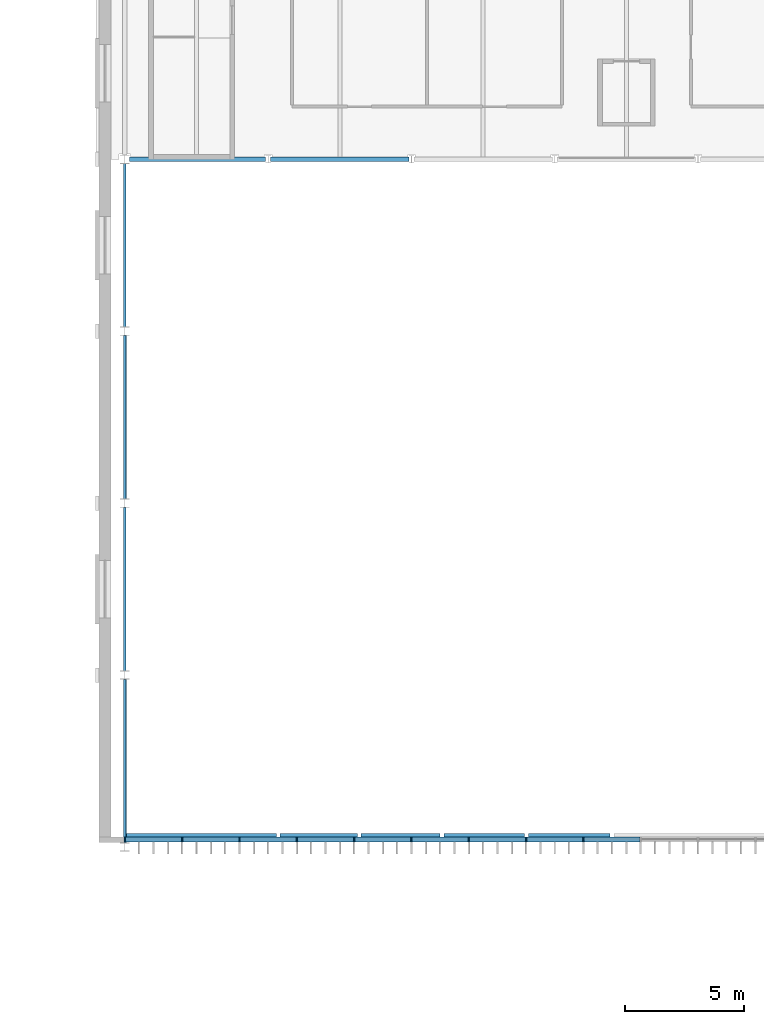
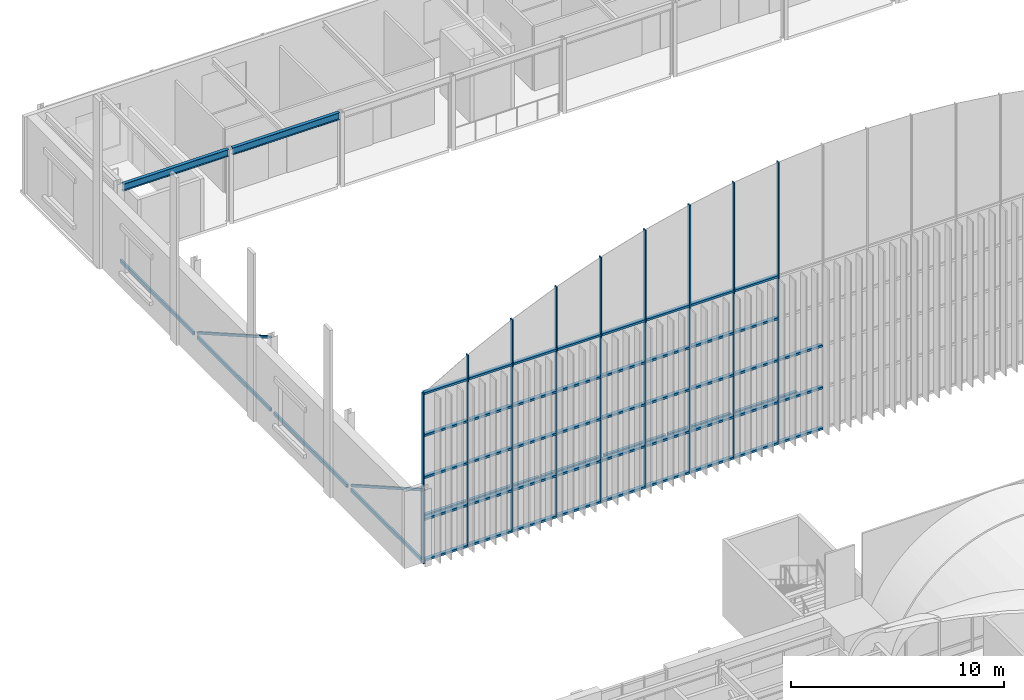
# One storey, part 43 of 169: 54 members, 11 beams, 1 element without a shape of its own.
"""IFC4 building model written with IfcOpenShell, lengths in metres."""

from ifc_helpers import new_model, si_unit, direction, frame, origin, origin_2d, place, context, subcontext, project, spatial, rectangle, hollow_rectangle, i_section, extrude, material, layer, layer_set, material_profile, profile_set, type_object, element, aggregate, save


model = new_model("IFC4")

# Units and contexts
model_context = context("Model", 3, precision=1e-05, world=origin(), true_north=direction((0.0, 1.0)))
body_context = subcontext(model_context, "Body", "Model", "MODEL_VIEW")
ifc_project = project(units=[si_unit("LENGTHUNIT", "METRE"), si_unit("AREAUNIT", "SQUARE_METRE"), si_unit("VOLUMEUNIT", "CUBIC_METRE"), si_unit("PLANEANGLEUNIT", "RADIAN"), si_unit("MASSUNIT", "GRAM", prefix="KILO")], contexts=[model_context])

# Site, building, storey
site_placement = place(None, origin())
site = spatial("IfcSite", under=ifc_project, at=site_placement, CompositionType="ELEMENT")
building_placement = place(site_placement, origin())
building = spatial("IfcBuilding", under=site, at=building_placement, Name="Verrick Yard Athletic Hall", CompositionType="ELEMENT")
storey_placement = place(building_placement, frame((0.0, 0.0, 4.39990234375)))
storey = spatial("IfcBuildingStorey", under=building, at=storey_placement, Name="L01", CompositionType="ELEMENT", Elevation=4.39990234375)

# Curtain wall, members
ifc_material_1 = material(Name="Anodised aluminium", Category="aluminium")
ifc_layer = layer(ifc_material_1, 0.199951171875)
ifc_layer_set = layer_set([ifc_layer], Name="Gable glazing")
curtain_wall_type = type_object("IfcCurtainWallType", Name="Gable glazing", PredefinedType="NOTDEFINED", material=ifc_layer_set)
curtain_wall_placement = place(storey_placement, origin())
curtain_wall = element("IfcCurtainWall", 1, at=curtain_wall_placement, inside=storey, type_object=curtain_wall_type, Name="Gable curtain wall BS", PredefinedType="NOTDEFINED")
ifc_material_profile_1 = material_profile(ifc_material_1, rectangle(XDim=0.199951171875, YDim=0.06005859375, at=origin_2d()), Name="CW gable mullion 60x200")
ifc_profile_set_1 = profile_set([ifc_material_profile_1], Name="Anodised aluminium")
member_type_1 = type_object("IfcMemberType", Name="Gable glazing mullion 60x200", PredefinedType="MULLION", material=ifc_profile_set_1)
member_1_placement = place(storey_placement, frame((28.0, 72.318359375, 0.0), z_axis=(0.0, 0.0, 1.0), x_axis=(0.0, 1.0, 0.0)))
member_1 = element("IfcMember", 2, at=member_1_placement, type_object=member_type_1, Name="ENVB-HBS-CW/M00", PredefinedType="MULLION", context=body_context, shape_type="SweptSolid", body=[
    extrude(rectangle(XDim=0.199951171875, YDim=0.06005859375, at=origin_2d()), origin(), (0.0, 0.0, 1.0), 9.60009765625),
])
member_2_placement = place(storey_placement, frame((30.39990234375, 72.318359375, 0.0), z_axis=(0.0, 0.0, 1.0), x_axis=(0.0, 1.0, 0.0)))
member_2 = element("IfcMember", 3, at=member_2_placement, type_object=member_type_1, Name="ENVB-HBS-CW/M01", PredefinedType="MULLION", context=body_context, shape_type="SweptSolid", body=[
    extrude(rectangle(XDim=0.199951171875, YDim=0.06005859375, at=origin_2d()), origin(), (0.0, 0.0, 1.0), 10.970458984375),
])
member_3_placement = place(storey_placement, frame((32.800048828125, 72.318359375, 0.0), z_axis=(0.0, 0.0, 1.0), x_axis=(0.0, 1.0, 0.0)))
member_3 = element("IfcMember", 4, at=member_3_placement, type_object=member_type_1, Name="ENVB-HBS-CW/M02", PredefinedType="MULLION", context=body_context, shape_type="SweptSolid", body=[
    extrude(rectangle(XDim=0.199951171875, YDim=0.06005859375, at=origin_2d()), origin(), (0.0, 0.0, 1.0), 12.15869140625),
])
member_4_placement = place(storey_placement, frame((35.199951171875, 72.318359375, 0.0), z_axis=(0.0, 0.0, 1.0), x_axis=(0.0, 1.0, 0.0)))
member_4 = element("IfcMember", 5, at=member_4_placement, type_object=member_type_1, Name="ENVB-HBS-CW/M03", PredefinedType="MULLION", context=body_context, shape_type="SweptSolid", body=[
    extrude(rectangle(XDim=0.199951171875, YDim=0.06005859375, at=origin_2d()), origin(), (0.0, 0.0, 1.0), 13.1796875),
])
member_5_placement = place(storey_placement, frame((37.60009765625, 72.318359375, 0.0), z_axis=(0.0, 0.0, 1.0), x_axis=(0.0, 1.0, 0.0)))
member_5 = element("IfcMember", 6, at=member_5_placement, type_object=member_type_1, Name="ENVB-HBS-CW/M04", PredefinedType="MULLION", context=body_context, shape_type="SweptSolid", body=[
    extrude(rectangle(XDim=0.199951171875, YDim=0.06005859375, at=origin_2d()), origin(), (0.0, 0.0, 1.0), 14.045166015625),
])
member_6_placement = place(storey_placement, frame((40.0, 72.318359375, 0.0), z_axis=(0.0, 0.0, 1.0), x_axis=(0.0, 1.0, 0.0)))
member_6 = element("IfcMember", 7, at=member_6_placement, type_object=member_type_1, Name="ENVB-HBS-CW/M05", PredefinedType="MULLION", context=body_context, shape_type="SweptSolid", body=[
    extrude(rectangle(XDim=0.199951171875, YDim=0.06005859375, at=origin_2d()), origin(), (0.0, 0.0, 1.0), 14.764404296875),
])
member_7_placement = place(storey_placement, frame((42.39990234375, 72.318359375, 0.0), z_axis=(0.0, 0.0, 1.0), x_axis=(0.0, 1.0, 0.0)))
member_7 = element("IfcMember", 8, at=member_7_placement, type_object=member_type_1, Name="ENVB-HBS-CW/M06", PredefinedType="MULLION", context=body_context, shape_type="SweptSolid", body=[
    extrude(rectangle(XDim=0.199951171875, YDim=0.06005859375, at=origin_2d()), origin(), (0.0, 0.0, 1.0), 15.344482421875),
])
member_8_placement = place(storey_placement, frame((44.800048828125, 72.318359375, 0.0), z_axis=(0.0, 0.0, 1.0), x_axis=(0.0, 1.0, 0.0)))
member_8 = element("IfcMember", 9, at=member_8_placement, type_object=member_type_1, Name="ENVB-HBS-CW/M07", PredefinedType="MULLION", context=body_context, shape_type="SweptSolid", body=[
    extrude(rectangle(XDim=0.199951171875, YDim=0.06005859375, at=origin_2d()), origin(), (0.0, 0.0, 1.0), 15.790283203125),
])
member_9_placement = place(storey_placement, frame((47.199951171875, 72.318359375, 0.0), z_axis=(0.0, 0.0, 1.0), x_axis=(0.0, 1.0, 0.0)))
member_9 = element("IfcMember", 10, at=member_9_placement, type_object=member_type_1, Name="ENVB-HBS-CW/M08", PredefinedType="MULLION", context=body_context, shape_type="SweptSolid", body=[
    extrude(rectangle(XDim=0.199951171875, YDim=0.06005859375, at=origin_2d()), origin(), (0.0, 0.0, 1.0), 16.106201171875),
])
ifc_material_profile_2 = material_profile(ifc_material_1, rectangle(XDim=0.199951171875, YDim=0.1201171875, at=origin_2d()), Name="CW gable transom 200x120")
ifc_profile_set_2 = profile_set([ifc_material_profile_2], Name="Anodised aluminium")
member_type_2 = type_object("IfcMemberType", Name="Gable glazing transom 200x120", PredefinedType="USERDEFINED", material=ifc_profile_set_2)
member_10_placement = place(storey_placement, frame((28.030029296875, 72.318359375, 0.06005859375), z_axis=(1.0, 0.0, 0.0), x_axis=(0.0, 1.0, 0.0)))
member_10 = element("IfcMember", 11, at=member_10_placement, type_object=member_type_2, Name="ENVB-HBS-CW/T00-00", ObjectType="TRANSOM", PredefinedType="USERDEFINED", context=body_context, shape_type="SweptSolid", body=[
    extrude(rectangle(XDim=0.199951171875, YDim=0.1201171875, at=origin_2d()), origin(), (0.0, 0.0, 1.0), 2.340087890625),
])
member_11_placement = place(storey_placement, frame((28.030029296875, 72.318359375, 2.400146484375), z_axis=(1.0, 0.0, 0.0), x_axis=(0.0, 1.0, 0.0)))
member_11 = element("IfcMember", 12, at=member_11_placement, type_object=member_type_2, Name="ENVB-HBS-CW/T00-01", ObjectType="TRANSOM", PredefinedType="USERDEFINED", context=body_context, shape_type="SweptSolid", body=[
    extrude(rectangle(XDim=0.199951171875, YDim=0.1201171875, at=origin_2d()), origin(), (0.0, 0.0, 1.0), 2.340087890625),
])
member_12_placement = place(storey_placement, frame((28.030029296875, 72.318359375, 4.800048828125), z_axis=(1.0, 0.0, 0.0), x_axis=(0.0, 1.0, 0.0)))
member_12 = element("IfcMember", 13, at=member_12_placement, type_object=member_type_2, Name="ENVB-HBS-CW/T00-02", ObjectType="TRANSOM", PredefinedType="USERDEFINED", context=body_context, shape_type="SweptSolid", body=[
    extrude(rectangle(XDim=0.199951171875, YDim=0.1201171875, at=origin_2d()), origin(), (0.0, 0.0, 1.0), 2.340087890625),
])
member_13_placement = place(storey_placement, frame((28.030029296875, 72.318359375, 7.2001953125), z_axis=(1.0, 0.0, 0.0), x_axis=(0.0, 1.0, 0.0)))
member_13 = element("IfcMember", 14, at=member_13_placement, type_object=member_type_2, Name="ENVB-HBS-CW/T00-03", ObjectType="TRANSOM", PredefinedType="USERDEFINED", context=body_context, shape_type="SweptSolid", body=[
    extrude(rectangle(XDim=0.199951171875, YDim=0.1201171875, at=origin_2d()), origin(), (0.0, 0.0, 1.0), 2.340087890625),
])
member_14_placement = place(storey_placement, frame((28.030029296875, 72.318359375, 9.60009765625), z_axis=(1.0, 0.0, 0.0), x_axis=(0.0, 1.0, 0.0)))
member_14 = element("IfcMember", 15, at=member_14_placement, type_object=member_type_2, Name="ENVB-HBS-CW/T00-04", ObjectType="TRANSOM", PredefinedType="USERDEFINED", context=body_context, shape_type="SweptSolid", body=[
    extrude(rectangle(XDim=0.199951171875, YDim=0.1201171875, at=origin_2d()), origin(), (0.0, 0.0, 1.0), 2.340087890625),
])
member_15_placement = place(storey_placement, frame((30.429931640625, 72.318359375, 0.06005859375), z_axis=(1.0, 0.0, 0.0), x_axis=(0.0, 1.0, 0.0)))
member_15 = element("IfcMember", 16, at=member_15_placement, type_object=member_type_2, Name="ENVB-HBS-CW/T01-00", ObjectType="TRANSOM", PredefinedType="USERDEFINED", context=body_context, shape_type="SweptSolid", body=[
    extrude(rectangle(XDim=0.199951171875, YDim=0.1201171875, at=origin_2d()), origin(), (0.0, 0.0, 1.0), 2.340087890625),
])
member_16_placement = place(storey_placement, frame((30.429931640625, 72.318359375, 2.400146484375), z_axis=(1.0, 0.0, 0.0), x_axis=(0.0, 1.0, 0.0)))
member_16 = element("IfcMember", 17, at=member_16_placement, type_object=member_type_2, Name="ENVB-HBS-CW/T01-01", ObjectType="TRANSOM", PredefinedType="USERDEFINED", context=body_context, shape_type="SweptSolid", body=[
    extrude(rectangle(XDim=0.199951171875, YDim=0.1201171875, at=origin_2d()), origin(), (0.0, 0.0, 1.0), 2.340087890625),
])
member_17_placement = place(storey_placement, frame((30.429931640625, 72.318359375, 4.800048828125), z_axis=(1.0, 0.0, 0.0), x_axis=(0.0, 1.0, 0.0)))
member_17 = element("IfcMember", 18, at=member_17_placement, type_object=member_type_2, Name="ENVB-HBS-CW/T01-02", ObjectType="TRANSOM", PredefinedType="USERDEFINED", context=body_context, shape_type="SweptSolid", body=[
    extrude(rectangle(XDim=0.199951171875, YDim=0.1201171875, at=origin_2d()), origin(), (0.0, 0.0, 1.0), 2.340087890625),
])
member_18_placement = place(storey_placement, frame((30.429931640625, 72.318359375, 7.2001953125), z_axis=(1.0, 0.0, 0.0), x_axis=(0.0, 1.0, 0.0)))
member_18 = element("IfcMember", 19, at=member_18_placement, type_object=member_type_2, Name="ENVB-HBS-CW/T01-03", ObjectType="TRANSOM", PredefinedType="USERDEFINED", context=body_context, shape_type="SweptSolid", body=[
    extrude(rectangle(XDim=0.199951171875, YDim=0.1201171875, at=origin_2d()), origin(), (0.0, 0.0, 1.0), 2.340087890625),
])
member_19_placement = place(storey_placement, frame((30.429931640625, 72.318359375, 9.60009765625), z_axis=(1.0, 0.0, 0.0), x_axis=(0.0, 1.0, 0.0)))
member_19 = element("IfcMember", 20, at=member_19_placement, type_object=member_type_2, Name="ENVB-HBS-CW/T01-04", ObjectType="TRANSOM", PredefinedType="USERDEFINED", context=body_context, shape_type="SweptSolid", body=[
    extrude(rectangle(XDim=0.199951171875, YDim=0.1201171875, at=origin_2d()), origin(), (0.0, 0.0, 1.0), 2.340087890625),
])
member_20_placement = place(storey_placement, frame((32.830078125, 72.318359375, 0.06005859375), z_axis=(1.0, 0.0, 0.0), x_axis=(0.0, 1.0, 0.0)))
member_20 = element("IfcMember", 21, at=member_20_placement, type_object=member_type_2, Name="ENVB-HBS-CW/T02-00", ObjectType="TRANSOM", PredefinedType="USERDEFINED", context=body_context, shape_type="SweptSolid", body=[
    extrude(rectangle(XDim=0.199951171875, YDim=0.1201171875, at=origin_2d()), origin(), (0.0, 0.0, 1.0), 2.33984375),
])
member_21_placement = place(storey_placement, frame((32.830078125, 72.318359375, 2.400146484375), z_axis=(1.0, 0.0, 0.0), x_axis=(0.0, 1.0, 0.0)))
member_21 = element("IfcMember", 22, at=member_21_placement, type_object=member_type_2, Name="ENVB-HBS-CW/T02-01", ObjectType="TRANSOM", PredefinedType="USERDEFINED", context=body_context, shape_type="SweptSolid", body=[
    extrude(rectangle(XDim=0.199951171875, YDim=0.1201171875, at=origin_2d()), origin(), (0.0, 0.0, 1.0), 2.33984375),
])
member_22_placement = place(storey_placement, frame((32.830078125, 72.318359375, 4.800048828125), z_axis=(1.0, 0.0, 0.0), x_axis=(0.0, 1.0, 0.0)))
member_22 = element("IfcMember", 23, at=member_22_placement, type_object=member_type_2, Name="ENVB-HBS-CW/T02-02", ObjectType="TRANSOM", PredefinedType="USERDEFINED", context=body_context, shape_type="SweptSolid", body=[
    extrude(rectangle(XDim=0.199951171875, YDim=0.1201171875, at=origin_2d()), origin(), (0.0, 0.0, 1.0), 2.33984375),
])
member_23_placement = place(storey_placement, frame((32.830078125, 72.318359375, 7.2001953125), z_axis=(1.0, 0.0, 0.0), x_axis=(0.0, 1.0, 0.0)))
member_23 = element("IfcMember", 24, at=member_23_placement, type_object=member_type_2, Name="ENVB-HBS-CW/T02-03", ObjectType="TRANSOM", PredefinedType="USERDEFINED", context=body_context, shape_type="SweptSolid", body=[
    extrude(rectangle(XDim=0.199951171875, YDim=0.1201171875, at=origin_2d()), origin(), (0.0, 0.0, 1.0), 2.33984375),
])
member_24_placement = place(storey_placement, frame((32.830078125, 72.318359375, 9.60009765625), z_axis=(1.0, 0.0, 0.0), x_axis=(0.0, 1.0, 0.0)))
member_24 = element("IfcMember", 25, at=member_24_placement, type_object=member_type_2, Name="ENVB-HBS-CW/T02-04", ObjectType="TRANSOM", PredefinedType="USERDEFINED", context=body_context, shape_type="SweptSolid", body=[
    extrude(rectangle(XDim=0.199951171875, YDim=0.1201171875, at=origin_2d()), origin(), (0.0, 0.0, 1.0), 2.33984375),
])
member_25_placement = place(storey_placement, frame((35.22998046875, 72.318359375, 0.06005859375), z_axis=(1.0, 0.0, 0.0), x_axis=(0.0, 1.0, 0.0)))
member_25 = element("IfcMember", 26, at=member_25_placement, type_object=member_type_2, Name="ENVB-HBS-CW/T03-00", ObjectType="TRANSOM", PredefinedType="USERDEFINED", context=body_context, shape_type="SweptSolid", body=[
    extrude(rectangle(XDim=0.199951171875, YDim=0.1201171875, at=origin_2d()), origin(), (0.0, 0.0, 1.0), 2.340087890625),
])
member_26_placement = place(storey_placement, frame((35.22998046875, 72.318359375, 2.400146484375), z_axis=(1.0, 0.0, 0.0), x_axis=(0.0, 1.0, 0.0)))
member_26 = element("IfcMember", 27, at=member_26_placement, type_object=member_type_2, Name="ENVB-HBS-CW/T03-01", ObjectType="TRANSOM", PredefinedType="USERDEFINED", context=body_context, shape_type="SweptSolid", body=[
    extrude(rectangle(XDim=0.199951171875, YDim=0.1201171875, at=origin_2d()), origin(), (0.0, 0.0, 1.0), 2.340087890625),
])
member_27_placement = place(storey_placement, frame((35.22998046875, 72.318359375, 4.800048828125), z_axis=(1.0, 0.0, 0.0), x_axis=(0.0, 1.0, 0.0)))
member_27 = element("IfcMember", 28, at=member_27_placement, type_object=member_type_2, Name="ENVB-HBS-CW/T03-02", ObjectType="TRANSOM", PredefinedType="USERDEFINED", context=body_context, shape_type="SweptSolid", body=[
    extrude(rectangle(XDim=0.199951171875, YDim=0.1201171875, at=origin_2d()), origin(), (0.0, 0.0, 1.0), 2.340087890625),
])
member_28_placement = place(storey_placement, frame((35.22998046875, 72.318359375, 7.2001953125), z_axis=(1.0, 0.0, 0.0), x_axis=(0.0, 1.0, 0.0)))
member_28 = element("IfcMember", 29, at=member_28_placement, type_object=member_type_2, Name="ENVB-HBS-CW/T03-03", ObjectType="TRANSOM", PredefinedType="USERDEFINED", context=body_context, shape_type="SweptSolid", body=[
    extrude(rectangle(XDim=0.199951171875, YDim=0.1201171875, at=origin_2d()), origin(), (0.0, 0.0, 1.0), 2.340087890625),
])
member_29_placement = place(storey_placement, frame((35.22998046875, 72.318359375, 9.60009765625), z_axis=(1.0, 0.0, 0.0), x_axis=(0.0, 1.0, 0.0)))
member_29 = element("IfcMember", 30, at=member_29_placement, type_object=member_type_2, Name="ENVB-HBS-CW/T03-04", ObjectType="TRANSOM", PredefinedType="USERDEFINED", context=body_context, shape_type="SweptSolid", body=[
    extrude(rectangle(XDim=0.199951171875, YDim=0.1201171875, at=origin_2d()), origin(), (0.0, 0.0, 1.0), 2.340087890625),
])
member_30_placement = place(storey_placement, frame((37.6298828125, 72.318359375, 0.06005859375), z_axis=(1.0, 0.0, 0.0), x_axis=(0.0, 1.0, 0.0)))
member_30 = element("IfcMember", 31, at=member_30_placement, type_object=member_type_2, Name="ENVB-HBS-CW/T04-00", ObjectType="TRANSOM", PredefinedType="USERDEFINED", context=body_context, shape_type="SweptSolid", body=[
    extrude(rectangle(XDim=0.199951171875, YDim=0.1201171875, at=origin_2d()), origin(), (0.0, 0.0, 1.0), 2.340087890625),
])
member_31_placement = place(storey_placement, frame((37.6298828125, 72.318359375, 2.400146484375), z_axis=(1.0, 0.0, 0.0), x_axis=(0.0, 1.0, 0.0)))
member_31 = element("IfcMember", 32, at=member_31_placement, type_object=member_type_2, Name="ENVB-HBS-CW/T04-01", ObjectType="TRANSOM", PredefinedType="USERDEFINED", context=body_context, shape_type="SweptSolid", body=[
    extrude(rectangle(XDim=0.199951171875, YDim=0.1201171875, at=origin_2d()), origin(), (0.0, 0.0, 1.0), 2.340087890625),
])
member_32_placement = place(storey_placement, frame((37.6298828125, 72.318359375, 4.800048828125), z_axis=(1.0, 0.0, 0.0), x_axis=(0.0, 1.0, 0.0)))
member_32 = element("IfcMember", 33, at=member_32_placement, type_object=member_type_2, Name="ENVB-HBS-CW/T04-02", ObjectType="TRANSOM", PredefinedType="USERDEFINED", context=body_context, shape_type="SweptSolid", body=[
    extrude(rectangle(XDim=0.199951171875, YDim=0.1201171875, at=origin_2d()), origin(), (0.0, 0.0, 1.0), 2.340087890625),
])
member_33_placement = place(storey_placement, frame((37.6298828125, 72.318359375, 7.2001953125), z_axis=(1.0, 0.0, 0.0), x_axis=(0.0, 1.0, 0.0)))
member_33 = element("IfcMember", 34, at=member_33_placement, type_object=member_type_2, Name="ENVB-HBS-CW/T04-03", ObjectType="TRANSOM", PredefinedType="USERDEFINED", context=body_context, shape_type="SweptSolid", body=[
    extrude(rectangle(XDim=0.199951171875, YDim=0.1201171875, at=origin_2d()), origin(), (0.0, 0.0, 1.0), 2.340087890625),
])
member_34_placement = place(storey_placement, frame((37.6298828125, 72.318359375, 9.60009765625), z_axis=(1.0, 0.0, 0.0), x_axis=(0.0, 1.0, 0.0)))
member_34 = element("IfcMember", 35, at=member_34_placement, type_object=member_type_2, Name="ENVB-HBS-CW/T04-04", ObjectType="TRANSOM", PredefinedType="USERDEFINED", context=body_context, shape_type="SweptSolid", body=[
    extrude(rectangle(XDim=0.199951171875, YDim=0.1201171875, at=origin_2d()), origin(), (0.0, 0.0, 1.0), 2.340087890625),
])
member_35_placement = place(storey_placement, frame((40.030029296875, 72.318359375, 0.06005859375), z_axis=(1.0, 0.0, 0.0), x_axis=(0.0, 1.0, 0.0)))
member_35 = element("IfcMember", 36, at=member_35_placement, type_object=member_type_2, Name="ENVB-HBS-CW/T05-00", ObjectType="TRANSOM", PredefinedType="USERDEFINED", context=body_context, shape_type="SweptSolid", body=[
    extrude(rectangle(XDim=0.199951171875, YDim=0.1201171875, at=origin_2d()), origin(), (0.0, 0.0, 1.0), 2.340087890625),
])
member_36_placement = place(storey_placement, frame((40.030029296875, 72.318359375, 2.400146484375), z_axis=(1.0, 0.0, 0.0), x_axis=(0.0, 1.0, 0.0)))
member_36 = element("IfcMember", 37, at=member_36_placement, type_object=member_type_2, Name="ENVB-HBS-CW/T05-01", ObjectType="TRANSOM", PredefinedType="USERDEFINED", context=body_context, shape_type="SweptSolid", body=[
    extrude(rectangle(XDim=0.199951171875, YDim=0.1201171875, at=origin_2d()), origin(), (0.0, 0.0, 1.0), 2.340087890625),
])
member_37_placement = place(storey_placement, frame((40.030029296875, 72.318359375, 4.800048828125), z_axis=(1.0, 0.0, 0.0), x_axis=(0.0, 1.0, 0.0)))
member_37 = element("IfcMember", 38, at=member_37_placement, type_object=member_type_2, Name="ENVB-HBS-CW/T05-02", ObjectType="TRANSOM", PredefinedType="USERDEFINED", context=body_context, shape_type="SweptSolid", body=[
    extrude(rectangle(XDim=0.199951171875, YDim=0.1201171875, at=origin_2d()), origin(), (0.0, 0.0, 1.0), 2.340087890625),
])
member_38_placement = place(storey_placement, frame((40.030029296875, 72.318359375, 7.2001953125), z_axis=(1.0, 0.0, 0.0), x_axis=(0.0, 1.0, 0.0)))
member_38 = element("IfcMember", 39, at=member_38_placement, type_object=member_type_2, Name="ENVB-HBS-CW/T05-03", ObjectType="TRANSOM", PredefinedType="USERDEFINED", context=body_context, shape_type="SweptSolid", body=[
    extrude(rectangle(XDim=0.199951171875, YDim=0.1201171875, at=origin_2d()), origin(), (0.0, 0.0, 1.0), 2.340087890625),
])
member_39_placement = place(storey_placement, frame((40.030029296875, 72.318359375, 9.60009765625), z_axis=(1.0, 0.0, 0.0), x_axis=(0.0, 1.0, 0.0)))
member_39 = element("IfcMember", 40, at=member_39_placement, type_object=member_type_2, Name="ENVB-HBS-CW/T05-04", ObjectType="TRANSOM", PredefinedType="USERDEFINED", context=body_context, shape_type="SweptSolid", body=[
    extrude(rectangle(XDim=0.199951171875, YDim=0.1201171875, at=origin_2d()), origin(), (0.0, 0.0, 1.0), 2.340087890625),
])
member_40_placement = place(storey_placement, frame((42.429931640625, 72.318359375, 0.06005859375), z_axis=(1.0, 0.0, 0.0), x_axis=(0.0, 1.0, 0.0)))
member_40 = element("IfcMember", 41, at=member_40_placement, type_object=member_type_2, Name="ENVB-HBS-CW/T06-00", ObjectType="TRANSOM", PredefinedType="USERDEFINED", context=body_context, shape_type="SweptSolid", body=[
    extrude(rectangle(XDim=0.199951171875, YDim=0.1201171875, at=origin_2d()), origin(), (0.0, 0.0, 1.0), 2.340087890625),
])
member_41_placement = place(storey_placement, frame((42.429931640625, 72.318359375, 2.400146484375), z_axis=(1.0, 0.0, 0.0), x_axis=(0.0, 1.0, 0.0)))
member_41 = element("IfcMember", 42, at=member_41_placement, type_object=member_type_2, Name="ENVB-HBS-CW/T06-01", ObjectType="TRANSOM", PredefinedType="USERDEFINED", context=body_context, shape_type="SweptSolid", body=[
    extrude(rectangle(XDim=0.199951171875, YDim=0.1201171875, at=origin_2d()), origin(), (0.0, 0.0, 1.0), 2.340087890625),
])
member_42_placement = place(storey_placement, frame((42.429931640625, 72.318359375, 4.800048828125), z_axis=(1.0, 0.0, 0.0), x_axis=(0.0, 1.0, 0.0)))
member_42 = element("IfcMember", 43, at=member_42_placement, type_object=member_type_2, Name="ENVB-HBS-CW/T06-02", ObjectType="TRANSOM", PredefinedType="USERDEFINED", context=body_context, shape_type="SweptSolid", body=[
    extrude(rectangle(XDim=0.199951171875, YDim=0.1201171875, at=origin_2d()), origin(), (0.0, 0.0, 1.0), 2.340087890625),
])
member_43_placement = place(storey_placement, frame((42.429931640625, 72.318359375, 7.2001953125), z_axis=(1.0, 0.0, 0.0), x_axis=(0.0, 1.0, 0.0)))
member_43 = element("IfcMember", 44, at=member_43_placement, type_object=member_type_2, Name="ENVB-HBS-CW/T06-03", ObjectType="TRANSOM", PredefinedType="USERDEFINED", context=body_context, shape_type="SweptSolid", body=[
    extrude(rectangle(XDim=0.199951171875, YDim=0.1201171875, at=origin_2d()), origin(), (0.0, 0.0, 1.0), 2.340087890625),
])
member_44_placement = place(storey_placement, frame((42.429931640625, 72.318359375, 9.60009765625), z_axis=(1.0, 0.0, 0.0), x_axis=(0.0, 1.0, 0.0)))
member_44 = element("IfcMember", 45, at=member_44_placement, type_object=member_type_2, Name="ENVB-HBS-CW/T06-04", ObjectType="TRANSOM", PredefinedType="USERDEFINED", context=body_context, shape_type="SweptSolid", body=[
    extrude(rectangle(XDim=0.199951171875, YDim=0.1201171875, at=origin_2d()), origin(), (0.0, 0.0, 1.0), 2.340087890625),
])
member_45_placement = place(storey_placement, frame((44.830078125, 72.318359375, 0.06005859375), z_axis=(1.0, 0.0, 0.0), x_axis=(0.0, 1.0, 0.0)))
member_45 = element("IfcMember", 46, at=member_45_placement, type_object=member_type_2, Name="ENVB-HBS-CW/T07-00", ObjectType="TRANSOM", PredefinedType="USERDEFINED", context=body_context, shape_type="SweptSolid", body=[
    extrude(rectangle(XDim=0.199951171875, YDim=0.1201171875, at=origin_2d()), origin(), (0.0, 0.0, 1.0), 2.33984375),
])
member_46_placement = place(storey_placement, frame((44.830078125, 72.318359375, 2.400146484375), z_axis=(1.0, 0.0, 0.0), x_axis=(0.0, 1.0, 0.0)))
member_46 = element("IfcMember", 47, at=member_46_placement, type_object=member_type_2, Name="ENVB-HBS-CW/T07-01", ObjectType="TRANSOM", PredefinedType="USERDEFINED", context=body_context, shape_type="SweptSolid", body=[
    extrude(rectangle(XDim=0.199951171875, YDim=0.1201171875, at=origin_2d()), origin(), (0.0, 0.0, 1.0), 2.33984375),
])
member_47_placement = place(storey_placement, frame((44.830078125, 72.318359375, 4.800048828125), z_axis=(1.0, 0.0, 0.0), x_axis=(0.0, 1.0, 0.0)))
member_47 = element("IfcMember", 48, at=member_47_placement, type_object=member_type_2, Name="ENVB-HBS-CW/T07-02", ObjectType="TRANSOM", PredefinedType="USERDEFINED", context=body_context, shape_type="SweptSolid", body=[
    extrude(rectangle(XDim=0.199951171875, YDim=0.1201171875, at=origin_2d()), origin(), (0.0, 0.0, 1.0), 2.33984375),
])
member_48_placement = place(storey_placement, frame((44.830078125, 72.318359375, 7.2001953125), z_axis=(1.0, 0.0, 0.0), x_axis=(0.0, 1.0, 0.0)))
member_48 = element("IfcMember", 49, at=member_48_placement, type_object=member_type_2, Name="ENVB-HBS-CW/T07-03", ObjectType="TRANSOM", PredefinedType="USERDEFINED", context=body_context, shape_type="SweptSolid", body=[
    extrude(rectangle(XDim=0.199951171875, YDim=0.1201171875, at=origin_2d()), origin(), (0.0, 0.0, 1.0), 2.33984375),
])
member_49_placement = place(storey_placement, frame((44.830078125, 72.318359375, 9.60009765625), z_axis=(1.0, 0.0, 0.0), x_axis=(0.0, 1.0, 0.0)))
member_49 = element("IfcMember", 50, at=member_49_placement, type_object=member_type_2, Name="ENVB-HBS-CW/T07-04", ObjectType="TRANSOM", PredefinedType="USERDEFINED", context=body_context, shape_type="SweptSolid", body=[
    extrude(rectangle(XDim=0.199951171875, YDim=0.1201171875, at=origin_2d()), origin(), (0.0, 0.0, 1.0), 2.33984375),
])
member_50_placement = place(storey_placement, frame((47.22998046875, 72.318359375, 0.06005859375), z_axis=(1.0, 0.0, 0.0), x_axis=(0.0, 1.0, 0.0)))
member_50 = element("IfcMember", 51, at=member_50_placement, type_object=member_type_2, Name="ENVB-HBS-CW/T08-00", ObjectType="TRANSOM", PredefinedType="USERDEFINED", context=body_context, shape_type="SweptSolid", body=[
    extrude(rectangle(XDim=0.199951171875, YDim=0.1201171875, at=origin_2d()), origin(), (0.0, 0.0, 1.0), 2.340087890625),
])
member_51_placement = place(storey_placement, frame((47.22998046875, 72.318359375, 2.400146484375), z_axis=(1.0, 0.0, 0.0), x_axis=(0.0, 1.0, 0.0)))
member_51 = element("IfcMember", 52, at=member_51_placement, type_object=member_type_2, Name="ENVB-HBS-CW/T08-01", ObjectType="TRANSOM", PredefinedType="USERDEFINED", context=body_context, shape_type="SweptSolid", body=[
    extrude(rectangle(XDim=0.199951171875, YDim=0.1201171875, at=origin_2d()), origin(), (0.0, 0.0, 1.0), 2.340087890625),
])
member_52_placement = place(storey_placement, frame((47.22998046875, 72.318359375, 4.800048828125), z_axis=(1.0, 0.0, 0.0), x_axis=(0.0, 1.0, 0.0)))
member_52 = element("IfcMember", 53, at=member_52_placement, type_object=member_type_2, Name="ENVB-HBS-CW/T08-02", ObjectType="TRANSOM", PredefinedType="USERDEFINED", context=body_context, shape_type="SweptSolid", body=[
    extrude(rectangle(XDim=0.199951171875, YDim=0.1201171875, at=origin_2d()), origin(), (0.0, 0.0, 1.0), 2.340087890625),
])
aggregate(curtain_wall, [member_1, member_2, member_3, member_4, member_5, member_6, member_7, member_8, member_9, member_10, member_11, member_12, member_13, member_14, member_15, member_16, member_17, member_18, member_19, member_20, member_21, member_22, member_23, member_24, member_25, member_26, member_27, member_28, member_29, member_30, member_31, member_32, member_33, member_34, member_35, member_36, member_37, member_38, member_39, member_40, member_41, member_42, member_43, member_44, member_45, member_46, member_47, member_48, member_49, member_50, member_51, member_52])

# Beams
ifc_material_2 = material(Name="Structural steel HSS Class C 350W (CSA G40.20/G40.21)", Category="steel")
ifc_material_profile_3 = material_profile(ifc_material_2, hollow_rectangle(XDim=0.1015625, YDim=0.203125, WallThickness=0.009521484375, at=origin_2d()), Name="HSS203x102x9.5")
ifc_profile_set_3 = profile_set([ifc_material_profile_3], Name="Structural steel HSS Class C 350W (CSA G40.20/G40.21)")
beam_type_1 = type_object("IfcBeamType", Name="HB eaves girt HSS203x102x9.5", PredefinedType="BEAM", material=ifc_profile_set_3)
for number, where, z_axis, x_axis, name in (
    (54, (28.0, 72.177978515625, 0.0), (0.0, 1.0, 0.0), (-1.0, 0.0, 0.0), "HB-GT-BW-1-L01"),
    (55, (28.0, 79.3779296875, 0.0), (0.0, 1.0, 0.0), (-1.0, 0.0, 0.0), "HB-GT-BW-2-L01"),
):
    element("IfcBeam", number, at=place(storey_placement, frame(where, z_axis=z_axis, x_axis=x_axis)), inside=storey, type_object=beam_type_1, Name=name, PredefinedType="BEAM", context=body_context, shape_type="SweptSolid", body=[
        extrude(hollow_rectangle(XDim=0.1015625, YDim=0.203125, WallThickness=0.009521484375, at=origin_2d()), origin(), (0.0, 0.0, 1.0), 6.843994140625),
    ])
beam_1_placement = place(storey_placement, frame((28.0, 86.577880859375, 0.0), z_axis=(0.0, 1.0, 0.0), x_axis=(-1.0, 0.0, 0.0)))
element("IfcBeam", 56, at=beam_1_placement, inside=storey, type_object=beam_type_1, Name="HB-GT-BW-3-L01", PredefinedType="BEAM", context=body_context, shape_type="SweptSolid", body=[
    extrude(hollow_rectangle(XDim=0.1015625, YDim=0.203125, WallThickness=0.009521484375, at=origin_2d()), origin(), (0.0, 0.0, 1.0), 6.84423828125),
])
beam_2_placement = place(storey_placement, frame((28.0, 93.778076171875, 0.0), z_axis=(0.0, 1.0, 0.0), x_axis=(-1.0, 0.0, 0.0)))
element("IfcBeam", 57, at=beam_2_placement, inside=storey, type_object=beam_type_1, Name="HB-GT-BW-4-L01", PredefinedType="BEAM", context=body_context, shape_type="SweptSolid", body=[
    extrude(hollow_rectangle(XDim=0.1015625, YDim=0.203125, WallThickness=0.009521484375, at=origin_2d()), origin(), (0.0, 0.0, 1.0), 6.843994140625),
])
ifc_material_3 = material(Name="Structural steel 350W (CSA G40.21)", Category="steel")
ifc_material_profile_4 = material_profile(ifc_material_3, i_section(OverallWidth=0.177978515625, OverallDepth=0.406982421875, WebThickness=0.0078125, FlangeThickness=0.0126953125, at=origin_2d()), Name="W410x60")
ifc_profile_set_4 = profile_set([ifc_material_profile_4], Name="Structural steel 350W (CSA G40.21)")
beam_type_2 = type_object("IfcBeamType", Name="HB girder W410x60", PredefinedType="BEAM", material=ifc_profile_set_4)
beam_3_placement = place(storey_placement, frame((28.1845703125, 100.800048828125, 4.046630859375), z_axis=(1.0, 0.0, 0.0), x_axis=(0.0, 1.0, 0.0)))
element("IfcBeam", 58, at=beam_3_placement, inside=storey, type_object=beam_type_2, Name="HB-GB-B-RF-S1", PredefinedType="BEAM", context=body_context, shape_type="SweptSolid", body=[
    extrude(i_section(OverallWidth=0.177978515625, OverallDepth=0.406982421875, WebThickness=0.0078125, FlangeThickness=0.0126953125, at=origin_2d()), origin(), (0.0, 0.0, 1.0), 5.712890625),
])
beam_4_placement = place(storey_placement, frame((34.1025390625, 100.800048828125, 4.046630859375), z_axis=(1.0, 0.0, 0.0), x_axis=(0.0, 1.0, 0.0)))
element("IfcBeam", 59, at=beam_4_placement, inside=storey, type_object=beam_type_2, Name="HB-GB-B-RF-S2", PredefinedType="BEAM", context=body_context, shape_type="SweptSolid", body=[
    extrude(i_section(OverallWidth=0.177978515625, OverallDepth=0.406982421875, WebThickness=0.0078125, FlangeThickness=0.0126953125, at=origin_2d()), origin(), (0.0, 0.0, 1.0), 5.794921875),
])

# Members
ifc_material_profile_5 = material_profile(ifc_material_2, hollow_rectangle(XDim=0.126953125, YDim=0.126953125, WallThickness=0.009521484375, at=origin_2d()), Name="HSS127x127x9.5")
ifc_profile_set_5 = profile_set([ifc_material_profile_5], Name="Structural steel HSS Class C 350W (CSA G40.20/G40.21)")
member_type_3 = type_object("IfcMemberType", Name="HB wall brace HSS127x127x9.5", PredefinedType="BRACE", material=ifc_profile_set_5)
member_53_placement = place(storey_placement, frame((28.0, 72.20947265625, 4.130615234375), z_axis=(0.0, 0.869002642273, -0.494807445096), x_axis=(-1.0, 0.0, 0.0)))
element("IfcMember", 60, at=member_53_placement, inside=storey, type_object=member_type_3, Name="HB-BRW-BW-1-L01", PredefinedType="BRACE", context=body_context, shape_type="SweptSolid", body=[
    extrude(hollow_rectangle(XDim=0.126953125, YDim=0.126953125, WallThickness=0.009521484375, at=origin_2d()), origin(), (0.0, 0.0, 1.0), 7.80322265625),
])
member_54_placement = place(storey_placement, frame((28.0, 86.609375, 4.130615234375), z_axis=(0.0, 0.869010302149, -0.494793992241), x_axis=(-1.0, 0.0, 0.0)))
element("IfcMember", 61, at=member_54_placement, inside=storey, type_object=member_type_3, Name="HB-BRW-BW-3-L01", PredefinedType="BRACE", context=body_context, shape_type="SweptSolid", body=[
    extrude(hollow_rectangle(XDim=0.126953125, YDim=0.126953125, WallThickness=0.009521484375, at=origin_2d()), origin(), (0.0, 0.0, 1.0), 7.803466796875),
])

# Beams
ifc_material_profile_6 = material_profile(ifc_material_2, hollow_rectangle(XDim=0.15234375, YDim=0.25390625, WallThickness=0.009521484375, at=origin_2d()), Name="HSS254x152x9.5")
ifc_profile_set_6 = profile_set([ifc_material_profile_6], Name="Structural steel HSS Class C 350W (CSA G40.20/G40.21)")
beam_type_3 = type_object("IfcBeamType", Name="HB wind girder HSS254x152x9.5", PredefinedType="BEAM", material=ifc_profile_set_6)
beam_5_placement = place(storey_placement, frame((28.076171875, 72.49462890625, 2.400146484375), z_axis=(1.0, 0.0, 0.0), x_axis=(0.0, 1.0, 0.0)))
element("IfcBeam", 62, at=beam_5_placement, inside=storey, type_object=beam_type_3, Name="HB-WG-BS-68-1", PredefinedType="BEAM", context=body_context, shape_type="SweptSolid", body=[
    extrude(hollow_rectangle(XDim=0.15234375, YDim=0.25390625, WallThickness=0.009521484375, at=origin_2d()), origin(), (0.0, 0.0, 1.0), 6.271240234375),
])
beam_6_placement = place(storey_placement, frame((34.499755859375, 72.49462890625, 2.400146484375), z_axis=(1.0, 0.0, 0.0), x_axis=(0.0, 1.0, 0.0)))
element("IfcBeam", 63, at=beam_6_placement, inside=storey, type_object=beam_type_3, Name="HB-WG-BS-68-2", PredefinedType="BEAM", context=body_context, shape_type="SweptSolid", body=[
    extrude(hollow_rectangle(XDim=0.15234375, YDim=0.25390625, WallThickness=0.009521484375, at=origin_2d()), origin(), (0.0, 0.0, 1.0), 3.2314453125),
])
beam_7_placement = place(storey_placement, frame((37.8837890625, 72.49462890625, 2.400146484375), z_axis=(1.0, 0.0, 0.0), x_axis=(0.0, 1.0, 0.0)))
element("IfcBeam", 64, at=beam_7_placement, inside=storey, type_object=beam_type_3, Name="HB-WG-BS-68-3", PredefinedType="BEAM", context=body_context, shape_type="SweptSolid", body=[
    extrude(hollow_rectangle(XDim=0.15234375, YDim=0.25390625, WallThickness=0.009521484375, at=origin_2d()), origin(), (0.0, 0.0, 1.0), 3.318603515625),
])
beam_8_placement = place(storey_placement, frame((41.354736328125, 72.49462890625, 2.400146484375), z_axis=(1.0, 0.0, 0.0), x_axis=(0.0, 1.0, 0.0)))
element("IfcBeam", 65, at=beam_8_placement, inside=storey, type_object=beam_type_3, Name="HB-WG-BS-68-4", PredefinedType="BEAM", context=body_context, shape_type="SweptSolid", body=[
    extrude(hollow_rectangle(XDim=0.15234375, YDim=0.25390625, WallThickness=0.009521484375, at=origin_2d()), origin(), (0.0, 0.0, 1.0), 3.384521484375),
])
beam_9_placement = place(storey_placement, frame((44.891845703125, 72.49462890625, 2.400146484375), z_axis=(1.0, 0.0, 0.0), x_axis=(0.0, 1.0, 0.0)))
element("IfcBeam", 66, at=beam_9_placement, inside=storey, type_object=beam_type_3, Name="HB-WG-BS-68-5", PredefinedType="BEAM", context=body_context, shape_type="SweptSolid", body=[
    extrude(hollow_rectangle(XDim=0.15234375, YDim=0.25390625, WallThickness=0.009521484375, at=origin_2d()), origin(), (0.0, 0.0, 1.0), 3.4287109375),
])

save(model, "model.ifc")
